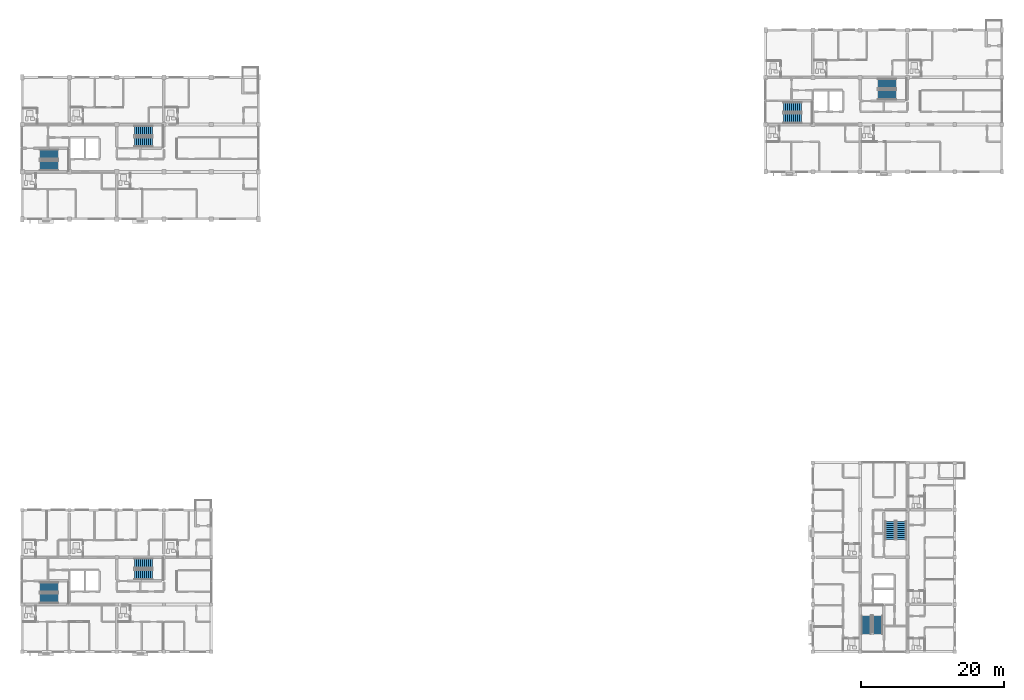
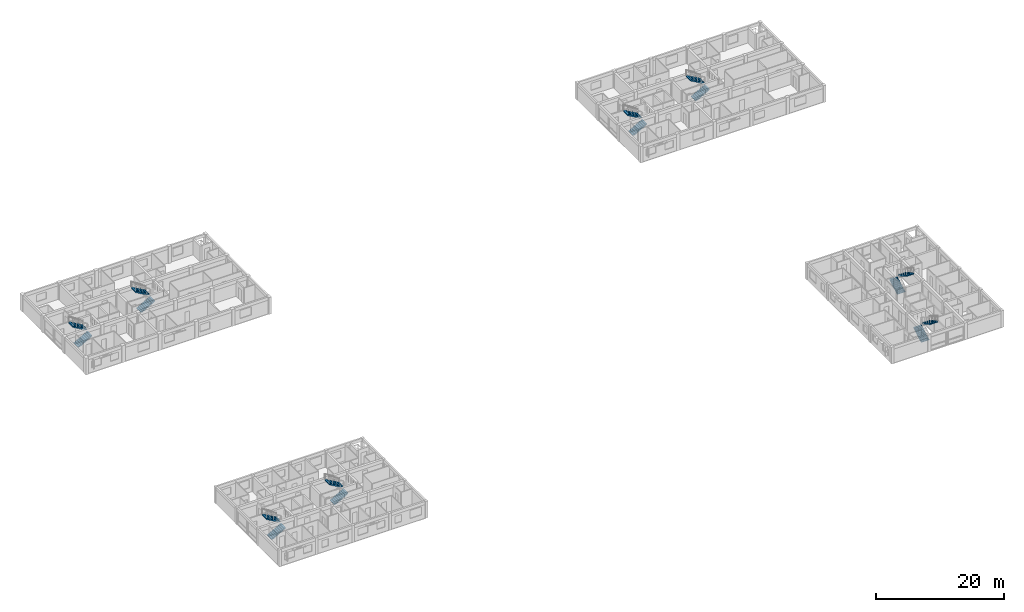
# One storey, part 41 of 52: 16 stair flights, 8 elements without a shape of their own.
"""IFC4 building model written with IfcOpenShell, lengths in metres."""

from ifc_helpers import new_model, si_unit, direction, frame, origin, place, context, subcontext, project, spatial, polyline, outline, extrude, material, type_object, element, aggregate, save


model = new_model("IFC4")

# Units and contexts
model_context = context("Model", 3, precision=1e-05, world=origin(), true_north=direction((0.0, 1.0)))
body_context = subcontext(model_context, "Body", "Model", "MODEL_VIEW")
ifc_project = project(units=[si_unit("LENGTHUNIT", "METRE"), si_unit("AREAUNIT", "SQUARE_METRE"), si_unit("VOLUMEUNIT", "CUBIC_METRE"), si_unit("PLANEANGLEUNIT", "RADIAN"), si_unit("MASSUNIT", "GRAM", prefix="KILO")], contexts=[model_context])

# Site, building, storey
site_placement = place(None, origin())
site = spatial("IfcSite", under=ifc_project, at=site_placement, CompositionType="ELEMENT")
building_placement = place(site_placement, origin())
building = spatial("IfcBuilding", under=site, at=building_placement, Name="Kernevlak Ridge Housing Community", CompositionType="ELEMENT")
storey_placement = place(building_placement, frame((0.0, 0.0, 11.60009765625)))
storey = spatial("IfcBuildingStorey", under=building, at=storey_placement, Name="L03", CompositionType="ELEMENT", Elevation=11.60009765625)

# Stair, stair flights
ifc_material = material(Name="Concrete C35/45", Category="concrete")
stair_type = type_object("IfcStairType", Name="SR-01", PredefinedType="HALF_TURN_STAIR", material=ifc_material)
stair_1_placement = place(storey_placement, origin())
stair_1 = element("IfcStair", 1, at=stair_1_placement, inside=storey, type_object=stair_type, Name="Stair ST-A1 L03", PredefinedType="HALF_TURN_STAIR")
stair_flight_type = type_object("IfcStairFlightType", Name="SF-01", PredefinedType="STRAIGHT", material=ifc_material)
stair_flight_1_placement = place(storey_placement, frame((18.080078125, 83.4599609375, 0.0), z_axis=(0.0, 0.0, 1.0), x_axis=(1.0, 0.0, 0.0)))
stair_flight_1 = element("IfcStairFlight", 2, at=stair_flight_1_placement, type_object=stair_flight_type, Name="SR-01 flight 1", NumberOfRisers=10, NumberOfTreads=9, PredefinedType="STRAIGHT", RiserHeight=0.16, TreadLength=0.28, context=body_context, shape_type="SweptSolid", body=[
    extrude(outline(polyline([(0.0, 0.0), (0.0, 0.159912109375), (0.280029296875, 0.159912109375), (0.280029296875, 0.320068359375), (0.56005859375, 0.320068359375), (0.56005859375, 0.47998046875), (0.840087890625, 0.47998046875), (0.840087890625, 0.639892578125), (1.1201171875, 0.639892578125), (1.1201171875, 0.800048828125), (1.39990234375, 0.800048828125), (1.39990234375, 0.9599609375), (1.679931640625, 0.9599609375), (1.679931640625, 1.1201171875), (1.9599609375, 1.1201171875), (1.9599609375, 1.280029296875), (2.239990234375, 1.280029296875), (2.239990234375, 1.43994140625), (2.52001953125, 1.43994140625), (2.52001953125, 1.60009765625), (2.52001953125, 1.244384765625), (0.342529296875, 0.0), (0.0, 0.0)])), frame((0.0, 0.699951171875, 0.0), z_axis=(0.0, -1.0, 0.0), x_axis=(1.0, 0.0, 0.0)), (0.0, 0.0, 1.0), 1.39990234375),
])
stair_flight_2_placement = place(storey_placement, frame((20.60009765625, 85.0400390625, 1.599853515625), z_axis=(0.0, 0.0, 1.0), x_axis=(-1.0, 0.0, 0.0)))
stair_flight_2 = element("IfcStairFlight", 3, at=stair_flight_2_placement, type_object=stair_flight_type, Name="SR-01 flight 2", NumberOfRisers=10, NumberOfTreads=9, PredefinedType="STRAIGHT", RiserHeight=0.16, TreadLength=0.28, context=body_context, shape_type="SweptSolid", body=[
    extrude(outline(polyline([(0.0, 0.0), (0.0, 0.159912109375), (0.280029296875, 0.159912109375), (0.280029296875, 0.320068359375), (0.56005859375, 0.320068359375), (0.56005859375, 0.47998046875), (0.840087890625, 0.47998046875), (0.840087890625, 0.639892578125), (1.1201171875, 0.639892578125), (1.1201171875, 0.800048828125), (1.39990234375, 0.800048828125), (1.39990234375, 0.9599609375), (1.679931640625, 0.9599609375), (1.679931640625, 1.1201171875), (1.9599609375, 1.1201171875), (1.9599609375, 1.280029296875), (2.239990234375, 1.280029296875), (2.239990234375, 1.43994140625), (2.52001953125, 1.43994140625), (2.52001953125, 1.60009765625), (2.52001953125, 1.244384765625), (0.342529296875, 0.0), (0.0, 0.0)])), frame((0.0, 0.699951171875, 0.0), z_axis=(0.0, -1.0, 0.0), x_axis=(1.0, 0.0, 0.0)), (0.0, 0.0, 1.0), 1.39990234375),
])
aggregate(stair_1, [stair_flight_1, stair_flight_2])

stair_2_placement = place(storey_placement, origin())
stair_2 = element("IfcStair", 4, at=stair_2_placement, inside=storey, type_object=stair_type, Name="Stair ST-A2 L03", PredefinedType="HALF_TURN_STAIR")
stair_flight_3_placement = place(storey_placement, frame((31.280029296875, 86.760009765625, 0.0), z_axis=(0.0, 0.0, 1.0), x_axis=(1.0, 0.0, 0.0)))
stair_flight_3 = element("IfcStairFlight", 5, at=stair_flight_3_placement, type_object=stair_flight_type, Name="SR-01 flight 1", NumberOfRisers=10, NumberOfTreads=9, PredefinedType="STRAIGHT", RiserHeight=0.16, TreadLength=0.28, context=body_context, shape_type="SweptSolid", body=[
    extrude(outline(polyline([(0.0, 0.0), (0.0, 0.159912109375), (0.280029296875, 0.159912109375), (0.280029296875, 0.320068359375), (0.56005859375, 0.320068359375), (0.56005859375, 0.47998046875), (0.840087890625, 0.47998046875), (0.840087890625, 0.639892578125), (1.1201171875, 0.639892578125), (1.1201171875, 0.800048828125), (1.39990234375, 0.800048828125), (1.39990234375, 0.9599609375), (1.679931640625, 0.9599609375), (1.679931640625, 1.1201171875), (1.9599609375, 1.1201171875), (1.9599609375, 1.280029296875), (2.239990234375, 1.280029296875), (2.239990234375, 1.43994140625), (2.52001953125, 1.43994140625), (2.52001953125, 1.60009765625), (2.52001953125, 1.244384765625), (0.342529296875, 0.0), (0.0, 0.0)])), frame((0.0, 0.699951171875, 0.0), z_axis=(0.0, -1.0, 0.0), x_axis=(1.0, 0.0, 0.0)), (0.0, 0.0, 1.0), 1.39990234375),
])
stair_flight_4_placement = place(storey_placement, frame((33.800048828125, 88.340087890625, 1.599853515625), z_axis=(0.0, 0.0, 1.0), x_axis=(-1.0, 0.0, 0.0)))
stair_flight_4 = element("IfcStairFlight", 6, at=stair_flight_4_placement, type_object=stair_flight_type, Name="SR-01 flight 2", NumberOfRisers=10, NumberOfTreads=9, PredefinedType="STRAIGHT", RiserHeight=0.16, TreadLength=0.28, context=body_context, shape_type="SweptSolid", body=[
    extrude(outline(polyline([(0.0, 0.0), (0.0, 0.159912109375), (0.280029296875, 0.159912109375), (0.280029296875, 0.320068359375), (0.56005859375, 0.320068359375), (0.56005859375, 0.47998046875), (0.840087890625, 0.47998046875), (0.840087890625, 0.639892578125), (1.1201171875, 0.639892578125), (1.1201171875, 0.800048828125), (1.39990234375, 0.800048828125), (1.39990234375, 0.9599609375), (1.679931640625, 0.9599609375), (1.679931640625, 1.1201171875), (1.9599609375, 1.1201171875), (1.9599609375, 1.280029296875), (2.239990234375, 1.280029296875), (2.239990234375, 1.43994140625), (2.52001953125, 1.43994140625), (2.52001953125, 1.60009765625), (2.52001953125, 1.244384765625), (0.342529296875, 0.0), (0.0, 0.0)])), frame((0.0, 0.699951171875, 0.0), z_axis=(0.0, -1.0, 0.0), x_axis=(1.0, 0.0, 0.0)), (0.0, 0.0, 1.0), 1.39990234375),
])
aggregate(stair_2, [stair_flight_3, stair_flight_4])

stair_3_placement = place(storey_placement, origin())
stair_3 = element("IfcStair", 7, at=stair_3_placement, inside=storey, type_object=stair_type, Name="Stair ST-B1 L03", PredefinedType="HALF_TURN_STAIR")
stair_flight_5_placement = place(storey_placement, frame((121.8798828125, 90.06005859375, 0.0), z_axis=(0.0, 0.0, 1.0), x_axis=(1.0, 0.0, 0.0)))
stair_flight_5 = element("IfcStairFlight", 8, at=stair_flight_5_placement, type_object=stair_flight_type, Name="SR-01 flight 1", NumberOfRisers=10, NumberOfTreads=9, PredefinedType="STRAIGHT", RiserHeight=0.16, TreadLength=0.28, context=body_context, shape_type="SweptSolid", body=[
    extrude(outline(polyline([(0.0, 0.0), (0.0, 0.159912109375), (0.280029296875, 0.159912109375), (0.280029296875, 0.320068359375), (0.56005859375, 0.320068359375), (0.56005859375, 0.47998046875), (0.840087890625, 0.47998046875), (0.840087890625, 0.639892578125), (1.1201171875, 0.639892578125), (1.1201171875, 0.800048828125), (1.39990234375, 0.800048828125), (1.39990234375, 0.9599609375), (1.679931640625, 0.9599609375), (1.679931640625, 1.1201171875), (1.9599609375, 1.1201171875), (1.9599609375, 1.280029296875), (2.239990234375, 1.280029296875), (2.239990234375, 1.43994140625), (2.52001953125, 1.43994140625), (2.52001953125, 1.60009765625), (2.52001953125, 1.244384765625), (0.342529296875, 0.0), (0.0, 0.0)])), frame((0.0, 0.699951171875, 0.0), z_axis=(0.0, -1.0, 0.0), x_axis=(1.0, 0.0, 0.0)), (0.0, 0.0, 1.0), 1.39990234375),
])
stair_flight_6_placement = place(storey_placement, frame((124.39990234375, 91.639892578125, 1.599853515625), z_axis=(0.0, 0.0, 1.0), x_axis=(-1.0, 0.0, 0.0)))
stair_flight_6 = element("IfcStairFlight", 9, at=stair_flight_6_placement, type_object=stair_flight_type, Name="SR-01 flight 2", NumberOfRisers=10, NumberOfTreads=9, PredefinedType="STRAIGHT", RiserHeight=0.16, TreadLength=0.28, context=body_context, shape_type="SweptSolid", body=[
    extrude(outline(polyline([(0.0, 0.0), (0.0, 0.159912109375), (0.280029296875, 0.159912109375), (0.280029296875, 0.320068359375), (0.56005859375, 0.320068359375), (0.56005859375, 0.47998046875), (0.840087890625, 0.47998046875), (0.840087890625, 0.639892578125), (1.1201171875, 0.639892578125), (1.1201171875, 0.800048828125), (1.39990234375, 0.800048828125), (1.39990234375, 0.9599609375), (1.679931640625, 0.9599609375), (1.679931640625, 1.1201171875), (1.9599609375, 1.1201171875), (1.9599609375, 1.280029296875), (2.239990234375, 1.280029296875), (2.239990234375, 1.43994140625), (2.52001953125, 1.43994140625), (2.52001953125, 1.60009765625), (2.52001953125, 1.244384765625), (0.342529296875, 0.0), (0.0, 0.0)])), frame((0.0, 0.699951171875, 0.0), z_axis=(0.0, -1.0, 0.0), x_axis=(1.0, 0.0, 0.0)), (0.0, 0.0, 1.0), 1.39990234375),
])
aggregate(stair_3, [stair_flight_5, stair_flight_6])

stair_4_placement = place(storey_placement, origin())
stair_4 = element("IfcStair", 10, at=stair_4_placement, inside=storey, type_object=stair_type, Name="Stair ST-B2 L03", PredefinedType="HALF_TURN_STAIR")
stair_flight_7_placement = place(storey_placement, frame((135.080078125, 93.360107421875, 0.0), z_axis=(0.0, 0.0, 1.0), x_axis=(1.0, 0.0, 0.0)))
stair_flight_7 = element("IfcStairFlight", 11, at=stair_flight_7_placement, type_object=stair_flight_type, Name="SR-01 flight 1", NumberOfRisers=10, NumberOfTreads=9, PredefinedType="STRAIGHT", RiserHeight=0.16, TreadLength=0.28, context=body_context, shape_type="SweptSolid", body=[
    extrude(outline(polyline([(0.0, 0.0), (0.0, 0.159912109375), (0.280029296875, 0.159912109375), (0.280029296875, 0.320068359375), (0.56005859375, 0.320068359375), (0.56005859375, 0.47998046875), (0.840087890625, 0.47998046875), (0.840087890625, 0.639892578125), (1.1201171875, 0.639892578125), (1.1201171875, 0.800048828125), (1.39990234375, 0.800048828125), (1.39990234375, 0.9599609375), (1.679931640625, 0.9599609375), (1.679931640625, 1.1201171875), (1.9599609375, 1.1201171875), (1.9599609375, 1.280029296875), (2.239990234375, 1.280029296875), (2.239990234375, 1.43994140625), (2.52001953125, 1.43994140625), (2.52001953125, 1.60009765625), (2.52001953125, 1.244384765625), (0.342529296875, 0.0), (0.0, 0.0)])), frame((0.0, 0.699951171875, 0.0), z_axis=(0.0, -1.0, 0.0), x_axis=(1.0, 0.0, 0.0)), (0.0, 0.0, 1.0), 1.39990234375),
])
stair_flight_8_placement = place(storey_placement, frame((137.60009765625, 94.93994140625, 1.599853515625), z_axis=(0.0, 0.0, 1.0), x_axis=(-1.0, 0.0, 0.0)))
stair_flight_8 = element("IfcStairFlight", 12, at=stair_flight_8_placement, type_object=stair_flight_type, Name="SR-01 flight 2", NumberOfRisers=10, NumberOfTreads=9, PredefinedType="STRAIGHT", RiserHeight=0.16, TreadLength=0.28, context=body_context, shape_type="SweptSolid", body=[
    extrude(outline(polyline([(0.0, 0.0), (0.0, 0.159912109375), (0.280029296875, 0.159912109375), (0.280029296875, 0.320068359375), (0.56005859375, 0.320068359375), (0.56005859375, 0.47998046875), (0.840087890625, 0.47998046875), (0.840087890625, 0.639892578125), (1.1201171875, 0.639892578125), (1.1201171875, 0.800048828125), (1.39990234375, 0.800048828125), (1.39990234375, 0.9599609375), (1.679931640625, 0.9599609375), (1.679931640625, 1.1201171875), (1.9599609375, 1.1201171875), (1.9599609375, 1.280029296875), (2.239990234375, 1.280029296875), (2.239990234375, 1.43994140625), (2.52001953125, 1.43994140625), (2.52001953125, 1.60009765625), (2.52001953125, 1.244384765625), (0.342529296875, 0.0), (0.0, 0.0)])), frame((0.0, 0.699951171875, 0.0), z_axis=(0.0, -1.0, 0.0), x_axis=(1.0, 0.0, 0.0)), (0.0, 0.0, 1.0), 1.39990234375),
])
aggregate(stair_4, [stair_flight_7, stair_flight_8])

stair_5_placement = place(storey_placement, origin())
stair_5 = element("IfcStair", 13, at=stair_5_placement, inside=storey, type_object=stair_type, Name="Stair ST-C1 L03", PredefinedType="HALF_TURN_STAIR")
stair_flight_9_placement = place(storey_placement, frame((133.4599609375, 18.080078125, 0.0), z_axis=(0.0, 0.0, 1.0), x_axis=(0.0, 1.0, 0.0)))
stair_flight_9 = element("IfcStairFlight", 14, at=stair_flight_9_placement, type_object=stair_flight_type, Name="SR-01 flight 1", NumberOfRisers=10, NumberOfTreads=9, PredefinedType="STRAIGHT", RiserHeight=0.16, TreadLength=0.28, context=body_context, shape_type="SweptSolid", body=[
    extrude(outline(polyline([(0.0, 0.0), (0.0, 0.159912109375), (0.280029296875, 0.159912109375), (0.280029296875, 0.320068359375), (0.56005859375, 0.320068359375), (0.56005859375, 0.47998046875), (0.840087890625, 0.47998046875), (0.840087890625, 0.639892578125), (1.1201171875, 0.639892578125), (1.1201171875, 0.800048828125), (1.39990234375, 0.800048828125), (1.39990234375, 0.9599609375), (1.679931640625, 0.9599609375), (1.679931640625, 1.1201171875), (1.9599609375, 1.1201171875), (1.9599609375, 1.280029296875), (2.239990234375, 1.280029296875), (2.239990234375, 1.43994140625), (2.52001953125, 1.43994140625), (2.52001953125, 1.60009765625), (2.52001953125, 1.244384765625), (0.342529296875, 0.0), (0.0, 0.0)])), frame((0.0, 0.699951171875, 0.0), z_axis=(0.0, -1.0, 0.0), x_axis=(1.0, 0.0, 0.0)), (0.0, 0.0, 1.0), 1.39990234375),
])
stair_flight_10_placement = place(storey_placement, frame((135.0400390625, 20.60009765625, 1.599853515625), z_axis=(0.0, 0.0, 1.0), x_axis=(0.0, -1.0, 0.0)))
stair_flight_10 = element("IfcStairFlight", 15, at=stair_flight_10_placement, type_object=stair_flight_type, Name="SR-01 flight 2", NumberOfRisers=10, NumberOfTreads=9, PredefinedType="STRAIGHT", RiserHeight=0.16, TreadLength=0.28, context=body_context, shape_type="SweptSolid", body=[
    extrude(outline(polyline([(0.0, 0.0), (0.0, 0.159912109375), (0.280029296875, 0.159912109375), (0.280029296875, 0.320068359375), (0.56005859375, 0.320068359375), (0.56005859375, 0.47998046875), (0.840087890625, 0.47998046875), (0.840087890625, 0.639892578125), (1.1201171875, 0.639892578125), (1.1201171875, 0.800048828125), (1.39990234375, 0.800048828125), (1.39990234375, 0.9599609375), (1.679931640625, 0.9599609375), (1.679931640625, 1.1201171875), (1.9599609375, 1.1201171875), (1.9599609375, 1.280029296875), (2.239990234375, 1.280029296875), (2.239990234375, 1.43994140625), (2.52001953125, 1.43994140625), (2.52001953125, 1.60009765625), (2.52001953125, 1.244384765625), (0.342529296875, 0.0), (0.0, 0.0)])), frame((0.0, 0.699951171875, 0.0), z_axis=(0.0, -1.0, 0.0), x_axis=(1.0, 0.0, 0.0)), (0.0, 0.0, 1.0), 1.39990234375),
])
aggregate(stair_5, [stair_flight_9, stair_flight_10])

stair_6_placement = place(storey_placement, origin())
stair_6 = element("IfcStair", 16, at=stair_6_placement, inside=storey, type_object=stair_type, Name="Stair ST-C2 L03", PredefinedType="HALF_TURN_STAIR")
stair_flight_11_placement = place(storey_placement, frame((136.760009765625, 31.280029296875, 0.0), z_axis=(0.0, 0.0, 1.0), x_axis=(0.0, 1.0, 0.0)))
stair_flight_11 = element("IfcStairFlight", 17, at=stair_flight_11_placement, type_object=stair_flight_type, Name="SR-01 flight 1", NumberOfRisers=10, NumberOfTreads=9, PredefinedType="STRAIGHT", RiserHeight=0.16, TreadLength=0.28, context=body_context, shape_type="SweptSolid", body=[
    extrude(outline(polyline([(0.0, 0.0), (0.0, 0.159912109375), (0.280029296875, 0.159912109375), (0.280029296875, 0.320068359375), (0.56005859375, 0.320068359375), (0.56005859375, 0.47998046875), (0.840087890625, 0.47998046875), (0.840087890625, 0.639892578125), (1.1201171875, 0.639892578125), (1.1201171875, 0.800048828125), (1.39990234375, 0.800048828125), (1.39990234375, 0.9599609375), (1.679931640625, 0.9599609375), (1.679931640625, 1.1201171875), (1.9599609375, 1.1201171875), (1.9599609375, 1.280029296875), (2.239990234375, 1.280029296875), (2.239990234375, 1.43994140625), (2.52001953125, 1.43994140625), (2.52001953125, 1.60009765625), (2.52001953125, 1.244384765625), (0.342529296875, 0.0), (0.0, 0.0)])), frame((0.0, 0.699951171875, 0.0), z_axis=(0.0, -1.0, 0.0), x_axis=(1.0, 0.0, 0.0)), (0.0, 0.0, 1.0), 1.39990234375),
])
stair_flight_12_placement = place(storey_placement, frame((138.340087890625, 33.800048828125, 1.599853515625), z_axis=(0.0, 0.0, 1.0), x_axis=(0.0, -1.0, 0.0)))
stair_flight_12 = element("IfcStairFlight", 18, at=stair_flight_12_placement, type_object=stair_flight_type, Name="SR-01 flight 2", NumberOfRisers=10, NumberOfTreads=9, PredefinedType="STRAIGHT", RiserHeight=0.16, TreadLength=0.28, context=body_context, shape_type="SweptSolid", body=[
    extrude(outline(polyline([(0.0, 0.0), (0.0, 0.159912109375), (0.280029296875, 0.159912109375), (0.280029296875, 0.320068359375), (0.56005859375, 0.320068359375), (0.56005859375, 0.47998046875), (0.840087890625, 0.47998046875), (0.840087890625, 0.639892578125), (1.1201171875, 0.639892578125), (1.1201171875, 0.800048828125), (1.39990234375, 0.800048828125), (1.39990234375, 0.9599609375), (1.679931640625, 0.9599609375), (1.679931640625, 1.1201171875), (1.9599609375, 1.1201171875), (1.9599609375, 1.280029296875), (2.239990234375, 1.280029296875), (2.239990234375, 1.43994140625), (2.52001953125, 1.43994140625), (2.52001953125, 1.60009765625), (2.52001953125, 1.244384765625), (0.342529296875, 0.0), (0.0, 0.0)])), frame((0.0, 0.699951171875, 0.0), z_axis=(0.0, -1.0, 0.0), x_axis=(1.0, 0.0, 0.0)), (0.0, 0.0, 1.0), 1.39990234375),
])
aggregate(stair_6, [stair_flight_11, stair_flight_12])

stair_7_placement = place(storey_placement, origin())
stair_7 = element("IfcStair", 19, at=stair_7_placement, inside=storey, type_object=stair_type, Name="Stair ST-D1 L03", PredefinedType="HALF_TURN_STAIR")
stair_flight_13_placement = place(storey_placement, frame((18.080078125, 23.06005859375, 0.0), z_axis=(0.0, 0.0, 1.0), x_axis=(1.0, 0.0, 0.0)))
stair_flight_13 = element("IfcStairFlight", 20, at=stair_flight_13_placement, type_object=stair_flight_type, Name="SR-01 flight 1", NumberOfRisers=10, NumberOfTreads=9, PredefinedType="STRAIGHT", RiserHeight=0.16, TreadLength=0.28, context=body_context, shape_type="SweptSolid", body=[
    extrude(outline(polyline([(0.0, 0.0), (0.0, 0.159912109375), (0.280029296875, 0.159912109375), (0.280029296875, 0.320068359375), (0.56005859375, 0.320068359375), (0.56005859375, 0.47998046875), (0.840087890625, 0.47998046875), (0.840087890625, 0.639892578125), (1.1201171875, 0.639892578125), (1.1201171875, 0.800048828125), (1.39990234375, 0.800048828125), (1.39990234375, 0.9599609375), (1.679931640625, 0.9599609375), (1.679931640625, 1.1201171875), (1.9599609375, 1.1201171875), (1.9599609375, 1.280029296875), (2.239990234375, 1.280029296875), (2.239990234375, 1.43994140625), (2.52001953125, 1.43994140625), (2.52001953125, 1.60009765625), (2.52001953125, 1.244384765625), (0.342529296875, 0.0), (0.0, 0.0)])), frame((0.0, 0.699951171875, 0.0), z_axis=(0.0, -1.0, 0.0), x_axis=(1.0, 0.0, 0.0)), (0.0, 0.0, 1.0), 1.39990234375),
])
stair_flight_14_placement = place(storey_placement, frame((20.60009765625, 24.639892578125, 1.599853515625), z_axis=(0.0, 0.0, 1.0), x_axis=(-1.0, 0.0, 0.0)))
stair_flight_14 = element("IfcStairFlight", 21, at=stair_flight_14_placement, type_object=stair_flight_type, Name="SR-01 flight 2", NumberOfRisers=10, NumberOfTreads=9, PredefinedType="STRAIGHT", RiserHeight=0.16, TreadLength=0.28, context=body_context, shape_type="SweptSolid", body=[
    extrude(outline(polyline([(0.0, 0.0), (0.0, 0.159912109375), (0.280029296875, 0.159912109375), (0.280029296875, 0.320068359375), (0.56005859375, 0.320068359375), (0.56005859375, 0.47998046875), (0.840087890625, 0.47998046875), (0.840087890625, 0.639892578125), (1.1201171875, 0.639892578125), (1.1201171875, 0.800048828125), (1.39990234375, 0.800048828125), (1.39990234375, 0.9599609375), (1.679931640625, 0.9599609375), (1.679931640625, 1.1201171875), (1.9599609375, 1.1201171875), (1.9599609375, 1.280029296875), (2.239990234375, 1.280029296875), (2.239990234375, 1.43994140625), (2.52001953125, 1.43994140625), (2.52001953125, 1.60009765625), (2.52001953125, 1.244384765625), (0.342529296875, 0.0), (0.0, 0.0)])), frame((0.0, 0.699951171875, 0.0), z_axis=(0.0, -1.0, 0.0), x_axis=(1.0, 0.0, 0.0)), (0.0, 0.0, 1.0), 1.39990234375),
])
aggregate(stair_7, [stair_flight_13, stair_flight_14])

stair_8_placement = place(storey_placement, origin())
stair_8 = element("IfcStair", 22, at=stair_8_placement, inside=storey, type_object=stair_type, Name="Stair ST-D2 L03", PredefinedType="HALF_TURN_STAIR")
stair_flight_15_placement = place(storey_placement, frame((31.280029296875, 26.360107421875, 0.0), z_axis=(0.0, 0.0, 1.0), x_axis=(1.0, 0.0, 0.0)))
stair_flight_15 = element("IfcStairFlight", 23, at=stair_flight_15_placement, type_object=stair_flight_type, Name="SR-01 flight 1", NumberOfRisers=10, NumberOfTreads=9, PredefinedType="STRAIGHT", RiserHeight=0.16, TreadLength=0.28, context=body_context, shape_type="SweptSolid", body=[
    extrude(outline(polyline([(0.0, 0.0), (0.0, 0.159912109375), (0.280029296875, 0.159912109375), (0.280029296875, 0.320068359375), (0.56005859375, 0.320068359375), (0.56005859375, 0.47998046875), (0.840087890625, 0.47998046875), (0.840087890625, 0.639892578125), (1.1201171875, 0.639892578125), (1.1201171875, 0.800048828125), (1.39990234375, 0.800048828125), (1.39990234375, 0.9599609375), (1.679931640625, 0.9599609375), (1.679931640625, 1.1201171875), (1.9599609375, 1.1201171875), (1.9599609375, 1.280029296875), (2.239990234375, 1.280029296875), (2.239990234375, 1.43994140625), (2.52001953125, 1.43994140625), (2.52001953125, 1.60009765625), (2.52001953125, 1.244384765625), (0.342529296875, 0.0), (0.0, 0.0)])), frame((0.0, 0.699951171875, 0.0), z_axis=(0.0, -1.0, 0.0), x_axis=(1.0, 0.0, 0.0)), (0.0, 0.0, 1.0), 1.39990234375),
])
stair_flight_16_placement = place(storey_placement, frame((33.800048828125, 27.93994140625, 1.599853515625), z_axis=(0.0, 0.0, 1.0), x_axis=(-1.0, 0.0, 0.0)))
stair_flight_16 = element("IfcStairFlight", 24, at=stair_flight_16_placement, type_object=stair_flight_type, Name="SR-01 flight 2", NumberOfRisers=10, NumberOfTreads=9, PredefinedType="STRAIGHT", RiserHeight=0.16, TreadLength=0.28, context=body_context, shape_type="SweptSolid", body=[
    extrude(outline(polyline([(0.0, 0.0), (0.0, 0.159912109375), (0.280029296875, 0.159912109375), (0.280029296875, 0.320068359375), (0.56005859375, 0.320068359375), (0.56005859375, 0.47998046875), (0.840087890625, 0.47998046875), (0.840087890625, 0.639892578125), (1.1201171875, 0.639892578125), (1.1201171875, 0.800048828125), (1.39990234375, 0.800048828125), (1.39990234375, 0.9599609375), (1.679931640625, 0.9599609375), (1.679931640625, 1.1201171875), (1.9599609375, 1.1201171875), (1.9599609375, 1.280029296875), (2.239990234375, 1.280029296875), (2.239990234375, 1.43994140625), (2.52001953125, 1.43994140625), (2.52001953125, 1.60009765625), (2.52001953125, 1.244384765625), (0.342529296875, 0.0), (0.0, 0.0)])), frame((0.0, 0.699951171875, 0.0), z_axis=(0.0, -1.0, 0.0), x_axis=(1.0, 0.0, 0.0)), (0.0, 0.0, 1.0), 1.39990234375),
])
aggregate(stair_8, [stair_flight_15, stair_flight_16])

save(model, "model.ifc")
